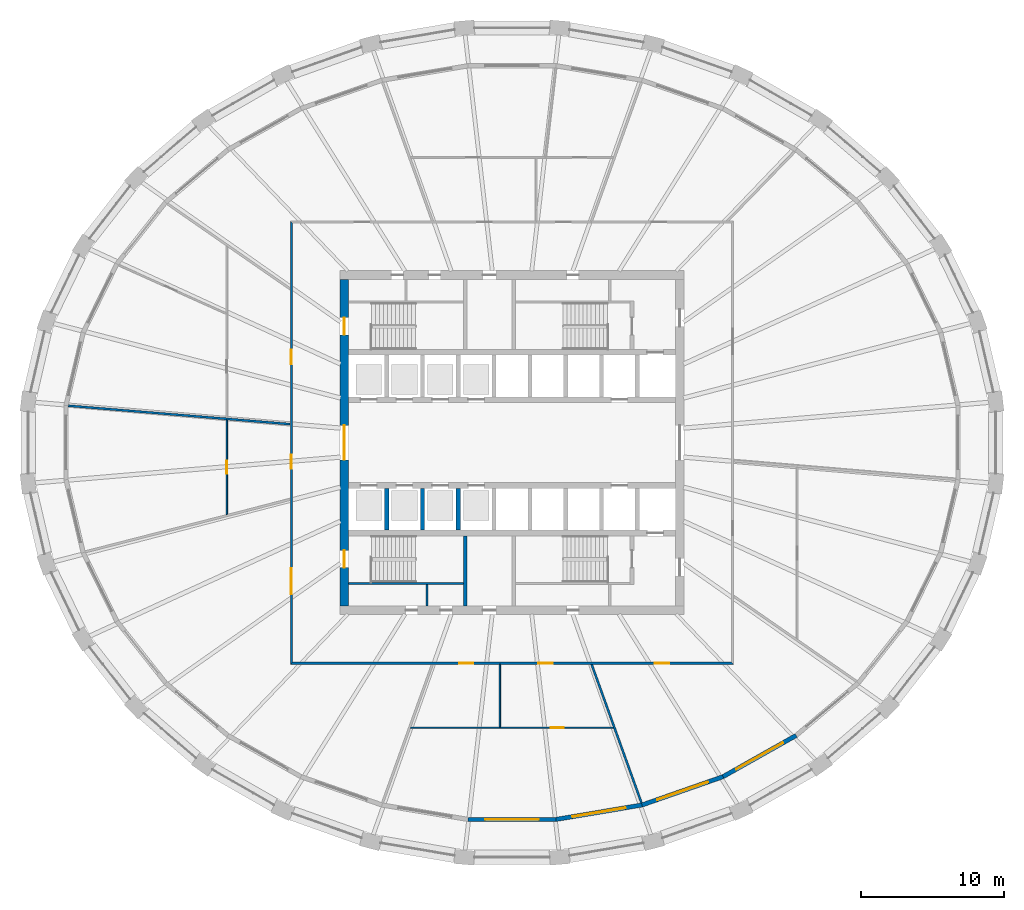
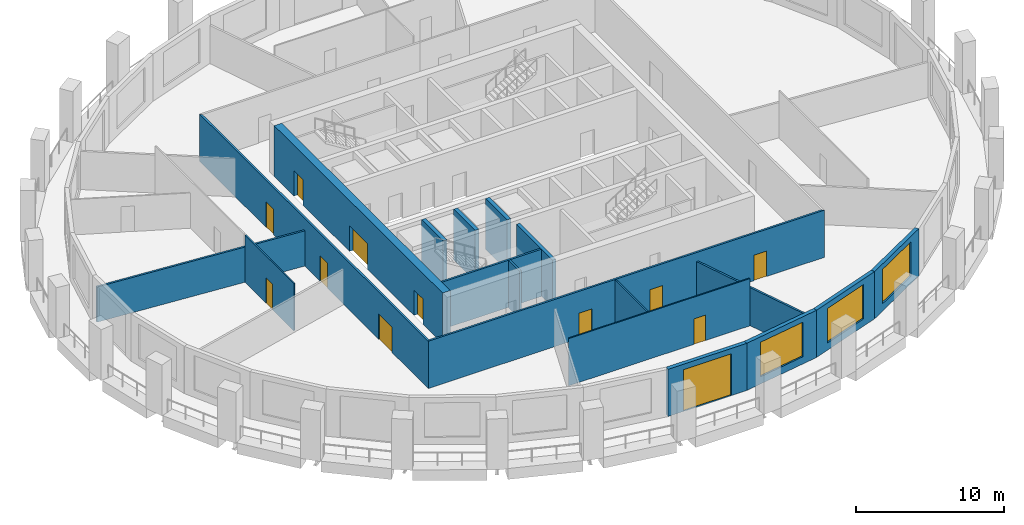
# One storey, part 3 of 10: 18 walls, 12 doors, 3 windows, 15 openings.
"""IFC4 building model written with IfcOpenShell, lengths in metres."""

from ifc_helpers import new_model, si_unit, direction, frame, frame_2d, origin, place, context, subcontext, project, spatial, polyline, rectangle, outline, extrude, material, layer, layer_set, type_object, element, fill, save


model = new_model("IFC4")

# Units and contexts
model_context = context("Model", 3, precision=1e-05, world=origin(), true_north=direction((0.0, 1.0)))
body_context = subcontext(model_context, "Body", "Model", "MODEL_VIEW")
ifc_project = project(units=[si_unit("LENGTHUNIT", "METRE"), si_unit("AREAUNIT", "SQUARE_METRE"), si_unit("VOLUMEUNIT", "CUBIC_METRE"), si_unit("PLANEANGLEUNIT", "RADIAN"), si_unit("MASSUNIT", "GRAM", prefix="KILO")], contexts=[model_context])

# Site, building, storey
site_placement = place(None, origin())
site = spatial("IfcSite", under=ifc_project, at=site_placement, CompositionType="ELEMENT")
building_placement = place(site_placement, origin())
building = spatial("IfcBuilding", under=site, at=building_placement, Name="Halqa Exchange Tower", CompositionType="ELEMENT")
storey_placement = place(building_placement, frame((0.0, 0.0, 154.89990234375)))
storey = spatial("IfcBuildingStorey", under=building, at=storey_placement, Name="L35", CompositionType="ELEMENT", Elevation=154.89990234375)

# Wall
ifc_material_1 = material(Name="Fire-rated gypsum board")
ifc_layer_1 = layer(ifc_material_1, 0.14990234375)
ifc_layer_set_1 = layer_set([ifc_layer_1], Name="Fire-rated gypsum board")
wall_type_1 = type_object("IfcWallType", Name="Fire partition EI 60 150", PredefinedType="PARTITIONING", material=ifc_layer_set_1)
wall_1_placement = place(storey_placement, frame((-30.964599609375, 2.574462890625, 0.0), z_axis=(0.0, 0.0, 1.0), x_axis=(0.996560145348, -0.082872653534, 0.0)))
element("IfcWall", 1, at=wall_1_placement, inside=storey, type_object=wall_type_1, Name="L35-PWL-001", PredefinedType="PARTITIONING", context=body_context, shape_type="SweptSolid", body=[
    extrude(outline(polyline([(0.0, -0.074951171875), (1.85986328125, -0.074951171875), (3.7197265625, -0.074951171875), (5.579345703125, -0.074951171875), (7.439208984375, -0.074951171875), (9.299072265625, -0.074951171875), (11.158935546875, -0.074951171875), (11.1591796875, -0.074951171875), (11.1591796875, -0.074951171875), (12.622314453125, -0.074951171875), (14.085693359375, -0.074951171875), (15.548828125, -0.074951171875), (15.548828125, -0.0693359375), (15.536865234375, 0.074951171875), (14.044921875, 0.074951171875), (12.552978515625, 0.074951171875), (11.06103515625, 0.074951171875), (11.04638671875, 0.07373046875), (11.04638671875, 0.074951171875), (9.2060546875, 0.074951171875), (7.36572265625, 0.074951171875), (5.525390625, 0.074951171875), (3.68505859375, 0.074951171875), (1.8447265625, 0.074951171875), (0.00439453125, 0.074951171875), (0.0, 0.044921875), (0.0, -0.074951171875)])), origin(), (0.0, 0.0, 1.0), 2.91015625),
])

# Wall, openings, doors
wall_2_placement = place(storey_placement, frame((-15.39990234375, -15.47509765625, 0.0), z_axis=(0.0, 0.0, 1.0), x_axis=(0.0, 1.0, 0.0)))
wall_2 = element("IfcWall", 2, at=wall_2_placement, inside=storey, type_object=wall_type_1, Name="L35-PWL-007", PredefinedType="PARTITIONING", context=body_context, shape_type="SweptSolid", body=[
    extrude(outline(polyline([(0.150146484375, -0.074951171875), (2.065673828125, -0.074951171875), (3.9814453125, -0.074951171875), (5.89697265625, -0.074951171875), (7.8125, -0.074951171875), (9.728271484375, -0.074951171875), (11.643798828125, -0.074951171875), (13.5595703125, -0.074951171875), (15.47509765625, -0.074951171875), (17.390625, -0.074951171875), (19.306396484375, -0.074951171875), (21.221923828125, -0.074951171875), (23.1376953125, -0.074951171875), (25.05322265625, -0.074951171875), (26.96875, -0.074951171875), (28.884521484375, -0.074951171875), (30.800048828125, -0.074951171875), (30.949951171875, 0.074951171875), (29.015625, 0.074951171875), (27.081298828125, 0.074951171875), (25.14697265625, 0.074951171875), (23.21240234375, 0.074951171875), (21.278076171875, 0.074951171875), (19.34375, 0.074951171875), (17.409423828125, 0.074951171875), (15.47509765625, 0.074951171875), (13.540771484375, 0.074951171875), (11.6064453125, 0.074951171875), (9.672119140625, 0.074951171875), (7.73779296875, 0.074951171875), (5.80322265625, 0.074951171875), (3.868896484375, 0.074951171875), (1.9345703125, 0.074951171875), (0.000244140625, 0.074951171875), (0.150146484375, -0.074951171875)])), origin(), (0.0, 0.0, 1.0), 3.900146484375),
])
opening_1_placement = place(wall_2_placement, frame((20.949951171875, 0.0, 0.0)))
opening_1 = element("IfcOpeningElement", 3, at=opening_1_placement, cuts=wall_2, Name="Opening 11-04", PredefinedType="OPENING", context=body_context, shape_type="SweptSolid", body=[
    extrude(rectangle(XDim=1.0, YDim=2.10009765625, at=frame_2d((0.5, 1.050048828125))), frame((0.0, 0.0869140625, 0.0), z_axis=(0.0, -1.0, 0.0), x_axis=(1.0, 0.0, 0.0)), (0.0, 0.0, 1.0), 0.173828125),
])
opening_2_placement = place(wall_2_placement, frame((13.64501953125, 0.0, 0.0)))
opening_2 = element("IfcOpeningElement", 4, at=opening_2_placement, cuts=wall_2, Name="Opening 11-05", PredefinedType="OPENING", context=body_context, shape_type="SweptSolid", body=[
    extrude(rectangle(XDim=1.0, YDim=2.10009765625, at=frame_2d((0.5, 1.050048828125))), frame((0.0, 0.0869140625, 0.0), z_axis=(0.0, -1.0, 0.0), x_axis=(1.0, 0.0, 0.0)), (0.0, 0.0, 1.0), 0.173828125),
])
opening_3_placement = place(wall_2_placement, frame((4.905029296875, 0.0, 0.0)))
opening_3 = element("IfcOpeningElement", 5, at=opening_3_placement, cuts=wall_2, Name="Opening 11-06", PredefinedType="OPENING", context=body_context, shape_type="SweptSolid", body=[
    extrude(rectangle(XDim=1.800048828125, YDim=2.10009765625, at=frame_2d((0.89990234375, 1.050048828125))), frame((0.0, 0.0869140625, 0.0), z_axis=(0.0, -1.0, 0.0), x_axis=(1.0, 0.0, 0.0)), (0.0, 0.0, 1.0), 0.173828125),
])
ifc_material_2 = material(Name="Steel fire door leaf", Category="steel")
door_type_1 = type_object("IfcDoorType", Name="Fire door FD30S 1000 x 2100", OperationType="SINGLE_SWING_LEFT", PredefinedType="DOOR", material=ifc_material_2)
door_1_placement = place(opening_1_placement, origin())
door_1 = element("IfcDoor", 6, at=door_1_placement, inside=storey, type_object=door_type_1, Name="L35-IDR-004", OperationType="SINGLE_SWING_RIGHT", OverallHeight=2.10009765625, OverallWidth=1.0, PredefinedType="DOOR", context=body_context, shape_type="SweptSolid", body=[
    extrude(rectangle(XDim=1.0, YDim=2.10009765625, at=frame_2d((0.5, 1.050048828125))), frame((0.0, 0.02490234375, 0.0), z_axis=(0.0, -1.0, 0.0), x_axis=(1.0, 0.0, 0.0)), (0.0, 0.0, 1.0), 0.050048828125),
])
fill(opening_1, door_1)
door_2_placement = place(opening_2_placement, origin())
door_2 = element("IfcDoor", 7, at=door_2_placement, inside=storey, type_object=door_type_1, Name="L35-IDR-005", OperationType="SINGLE_SWING_RIGHT", OverallHeight=2.10009765625, OverallWidth=1.0, PredefinedType="DOOR", context=body_context, shape_type="SweptSolid", body=[
    extrude(rectangle(XDim=1.0, YDim=2.10009765625, at=frame_2d((0.5, 1.050048828125))), frame((0.0, 0.02490234375, 0.0), z_axis=(0.0, -1.0, 0.0), x_axis=(1.0, 0.0, 0.0)), (0.0, 0.0, 1.0), 0.050048828125),
])
fill(opening_2, door_2)
door_type_2 = type_object("IfcDoorType", Name="Fire door FD30S double 1800 x 2100", OperationType="DOUBLE_DOOR_SINGLE_SWING", PredefinedType="DOOR", material=ifc_material_2)
door_3_placement = place(opening_3_placement, origin())
door_3 = element("IfcDoor", 8, at=door_3_placement, inside=storey, type_object=door_type_2, Name="L35-IDR-006", OperationType="DOUBLE_DOOR_SINGLE_SWING", OverallHeight=2.10009765625, OverallWidth=1.800048828125, PredefinedType="DOOR", context=body_context, shape_type="SweptSolid", body=[
    extrude(rectangle(XDim=1.800048828125, YDim=2.10009765625, at=frame_2d((0.89990234375, 1.050048828125))), frame((0.0, 0.02490234375, 0.0), z_axis=(0.0, -1.0, 0.0), x_axis=(1.0, 0.0, 0.0)), (0.0, 0.0, 1.0), 0.050048828125),
])
fill(opening_3, door_3)

wall_3_placement = place(storey_placement, frame((-15.47509765625, -15.39990234375, 0.0), z_axis=(0.0, 0.0, 1.0), x_axis=(1.0, 0.0, 0.0)))
wall_3 = element("IfcWall", 9, at=wall_3_placement, inside=storey, type_object=wall_type_1, Name="L35-PWL-008", PredefinedType="PARTITIONING", context=body_context, shape_type="SweptSolid", body=[
    extrude(outline(polyline([(0.000244140625, -0.074951171875), (1.9345703125, -0.074951171875), (3.868896484375, -0.074951171875), (5.80322265625, -0.074951171875), (7.73779296875, -0.074951171875), (9.672119140625, -0.074951171875), (11.6064453125, -0.074951171875), (13.540771484375, -0.074951171875), (15.47509765625, -0.074951171875), (17.409423828125, -0.074951171875), (19.34375, -0.074951171875), (21.278076171875, -0.074951171875), (23.21240234375, -0.074951171875), (25.14697265625, -0.074951171875), (27.081298828125, -0.074951171875), (29.015625, -0.074951171875), (30.949951171875, -0.074951171875), (30.800048828125, 0.074951171875), (28.884521484375, 0.074951171875), (26.96875, 0.074951171875), (25.05322265625, 0.074951171875), (23.1376953125, 0.074951171875), (21.221923828125, 0.074951171875), (19.306396484375, 0.074951171875), (17.390625, 0.074951171875), (15.47509765625, 0.074951171875), (13.5595703125, 0.074951171875), (11.643798828125, 0.074951171875), (9.728271484375, 0.074951171875), (7.8125, 0.074951171875), (5.89697265625, 0.074951171875), (3.9814453125, 0.074951171875), (2.065673828125, 0.074951171875), (0.150146484375, 0.074951171875), (0.000244140625, -0.074951171875)])), origin(), (0.0, 0.0, 1.0), 3.900146484375),
])
opening_4_placement = place(wall_3_placement, frame((11.784912109375, 0.0, 0.0)))
opening_4 = element("IfcOpeningElement", 10, at=opening_4_placement, cuts=wall_3, Name="Opening 11-07", PredefinedType="OPENING", context=body_context, shape_type="SweptSolid", body=[
    extrude(rectangle(XDim=1.0, YDim=2.10009765625, at=frame_2d((0.5, 1.050048828125))), frame((0.0, 0.0869140625, 0.0), z_axis=(0.0, -1.0, 0.0), x_axis=(1.0, 0.0, 0.0)), (0.0, 0.0, 1.0), 0.173828125),
])
opening_5_placement = place(wall_3_placement, frame((17.31494140625, 0.0, 0.0)))
opening_5 = element("IfcOpeningElement", 11, at=opening_5_placement, cuts=wall_3, Name="Opening 11-08", PredefinedType="OPENING", context=body_context, shape_type="SweptSolid", body=[
    extrude(rectangle(XDim=1.0, YDim=2.10009765625, at=frame_2d((0.5, 1.050048828125))), frame((0.0, 0.0869140625, 0.0), z_axis=(0.0, -1.0, 0.0), x_axis=(1.0, 0.0, 0.0)), (0.0, 0.0, 1.0), 0.173828125),
])
opening_6_placement = place(wall_3_placement, frame((25.43994140625, 0.0, 0.0)))
opening_6 = element("IfcOpeningElement", 12, at=opening_6_placement, cuts=wall_3, Name="Opening 11-09", PredefinedType="OPENING", context=body_context, shape_type="SweptSolid", body=[
    extrude(rectangle(XDim=1.0, YDim=2.10009765625, at=frame_2d((0.5, 1.050048828125))), frame((0.0, 0.0869140625, 0.0), z_axis=(0.0, -1.0, 0.0), x_axis=(1.0, 0.0, 0.0)), (0.0, 0.0, 1.0), 0.173828125),
])
door_4_placement = place(opening_4_placement, frame((1.0, 0.0, 0.0), z_axis=(0.0, 0.0, 1.0), x_axis=(-1.0, 0.0, 0.0)))
door_4 = element("IfcDoor", 13, at=door_4_placement, inside=storey, type_object=door_type_1, Name="L35-IDR-007", OperationType="SINGLE_SWING_LEFT", OverallHeight=2.10009765625, OverallWidth=1.0, PredefinedType="DOOR", context=body_context, shape_type="SweptSolid", body=[
    extrude(rectangle(XDim=1.0, YDim=2.10009765625, at=frame_2d((0.5, 1.050048828125))), frame((0.0, 0.02490234375, 0.0), z_axis=(0.0, -1.0, 0.0), x_axis=(1.0, 0.0, 0.0)), (0.0, 0.0, 1.0), 0.050048828125),
])
fill(opening_4, door_4)
door_5_placement = place(opening_5_placement, frame((1.0, 0.0, 0.0), z_axis=(0.0, 0.0, 1.0), x_axis=(-1.0, 0.0, 0.0)))
door_5 = element("IfcDoor", 14, at=door_5_placement, inside=storey, type_object=door_type_1, Name="L35-IDR-008", OperationType="SINGLE_SWING_RIGHT", OverallHeight=2.10009765625, OverallWidth=1.0, PredefinedType="DOOR", context=body_context, shape_type="SweptSolid", body=[
    extrude(rectangle(XDim=1.0, YDim=2.10009765625, at=frame_2d((0.5, 1.050048828125))), frame((0.0, 0.02490234375, 0.0), z_axis=(0.0, -1.0, 0.0), x_axis=(1.0, 0.0, 0.0)), (0.0, 0.0, 1.0), 0.050048828125),
])
fill(opening_5, door_5)
door_6_placement = place(opening_6_placement, frame((1.0, 0.0, 0.0), z_axis=(0.0, 0.0, 1.0), x_axis=(-1.0, 0.0, 0.0)))
door_6 = element("IfcDoor", 15, at=door_6_placement, inside=storey, type_object=door_type_1, Name="L35-IDR-009", OperationType="SINGLE_SWING_RIGHT", OverallHeight=2.10009765625, OverallWidth=1.0, PredefinedType="DOOR", context=body_context, shape_type="SweptSolid", body=[
    extrude(rectangle(XDim=1.0, YDim=2.10009765625, at=frame_2d((0.5, 1.050048828125))), frame((0.0, 0.02490234375, 0.0), z_axis=(0.0, -1.0, 0.0), x_axis=(1.0, 0.0, 0.0)), (0.0, 0.0, 1.0), 0.050048828125),
])
fill(opening_6, door_6)

# Wall
wall_4_placement = place(storey_placement, frame((5.5478515625, -15.449951171875, 0.0), z_axis=(0.0, 0.0, 1.0), x_axis=(0.338668278724, -0.940905838533, 0.0)))
element("IfcWall", 16, at=wall_4_placement, inside=storey, type_object=wall_type_1, Name="L35-PWL-018", PredefinedType="PARTITIONING", context=body_context, shape_type="SweptSolid", body=[
    extrude(outline(polyline([(0.0, -0.074951171875), (1.5498046875, -0.074951171875), (3.099609375, -0.074951171875), (4.6494140625, -0.074951171875), (4.661376953125, -0.04150390625), (4.75439453125, -0.074951171875), (6.59912109375, -0.074951171875), (8.44384765625, -0.074951171875), (10.28857421875, -0.074951171875), (10.3017578125, -0.0029296875), (10.30224609375, 0.064453125), (10.30224609375, 0.074951171875), (8.59423828125, 0.074951171875), (6.885986328125, 0.074951171875), (5.177978515625, 0.074951171875), (3.4697265625, 0.074951171875), (1.76171875, 0.074951171875), (0.0537109375, 0.074951171875), (0.0, -0.073974609375), (0.0, -0.074951171875)])), origin(), (0.0, 0.0, 1.0), 3.147216796875),
])

# Wall, opening, door
ifc_material_3 = material(Name="Gypsum board")
ifc_layer_2 = layer(ifc_material_3, 0.10009765625)
ifc_layer_set_2 = layer_set([ifc_layer_2], Name="Gypsum board")
wall_type_2 = type_object("IfcWallType", Name="Partition 100 gypsum", PredefinedType="PARTITIONING", material=ifc_layer_set_2)
wall_5_placement = place(storey_placement, frame((-19.89990234375, -5.027587890625, 0.0), z_axis=(0.0, 0.0, 1.0), x_axis=(0.0, 1.0, 0.0)))
wall_5 = element("IfcWall", 17, at=wall_5_placement, inside=storey, type_object=wall_type_2, Name="L35-PWL-004", PredefinedType="PARTITIONING", context=body_context, shape_type="SweptSolid", body=[
    extrude(outline(polyline([(0.025390625, -0.050048828125), (1.669677734375, -0.050048828125), (3.31396484375, -0.050048828125), (4.958251953125, -0.050048828125), (6.6025390625, -0.050048828125), (6.610595703125, 0.04833984375), (6.610595703125, 0.050048828125), (4.9580078125, 0.050048828125), (3.30517578125, 0.050048828125), (1.652587890625, 0.050048828125), (0.0, 0.050048828125), (0.0, 0.048828125), (0.025390625, -0.050048828125)])), origin(), (0.0, 0.0, 1.0), 3.900146484375),
])
opening_7_placement = place(wall_5_placement, frame((2.857421875, 0.0, 0.0)))
opening_7 = element("IfcOpeningElement", 18, at=opening_7_placement, cuts=wall_5, Name="Opening 11-17", PredefinedType="OPENING", context=body_context, shape_type="SweptSolid", body=[
    extrude(rectangle(XDim=0.89990234375, YDim=2.10009765625, at=frame_2d((0.449951171875, 1.050048828125))), frame((0.0, 0.06201171875, 0.0), z_axis=(0.0, -1.0, 0.0), x_axis=(1.0, 0.0, 0.0)), (0.0, 0.0, 1.0), 0.1240234375),
])
ifc_material_4 = material(Name="Timber door leaf", Category="wood")
door_type_3 = type_object("IfcDoorType", Name="Door 900 x 2100", OperationType="SINGLE_SWING_LEFT", PredefinedType="DOOR", material=ifc_material_4)
door_7_placement = place(opening_7_placement, frame((0.89990234375, 0.0, 0.0), z_axis=(0.0, 0.0, 1.0), x_axis=(-1.0, 0.0, 0.0)))
door_7 = element("IfcDoor", 19, at=door_7_placement, inside=storey, type_object=door_type_3, Name="L35-IDR-017", OperationType="SINGLE_SWING_RIGHT", OverallHeight=2.10009765625, OverallWidth=0.89990234375, PredefinedType="DOOR", context=body_context, shape_type="SweptSolid", body=[
    extrude(rectangle(XDim=0.89990234375, YDim=2.10009765625, at=frame_2d((0.449951171875, 1.050048828125))), frame((0.0, 0.02490234375, 0.0), z_axis=(0.0, -1.0, 0.0), x_axis=(1.0, 0.0, 0.0)), (0.0, 0.0, 1.0), 0.050048828125),
])
fill(opening_7, door_7)

wall_6_placement = place(storey_placement, frame((-7.08740234375, -19.89990234375, 0.0), z_axis=(0.0, 0.0, 1.0), x_axis=(1.0, 0.0, 0.0)))
wall_6 = element("IfcWall", 20, at=wall_6_placement, inside=storey, type_object=wall_type_2, Name="L35-PWL-012", PredefinedType="PARTITIONING", context=body_context, shape_type="SweptSolid", body=[
    extrude(outline(polyline([(14.1748046875, -0.050048828125), (14.1748046875, -0.048583984375), (14.13916015625, 0.050048828125), (12.17626953125, 0.050048828125), (10.21337890625, 0.050048828125), (8.250244140625, 0.050048828125), (6.287353515625, 0.050048828125), (6.287353515625, 0.0498046875), (6.1875, 0.0498046875), (6.1875, 0.050048828125), (4.6494140625, 0.050048828125), (3.111572265625, 0.050048828125), (1.573486328125, 0.050048828125), (0.03564453125, 0.050048828125), (0.0, -0.048583984375), (0.0, -0.050048828125), (1.77197265625, -0.050048828125), (3.543701171875, -0.050048828125), (5.3154296875, -0.050048828125), (7.08740234375, -0.050048828125), (8.859375, -0.050048828125), (10.631103515625, -0.050048828125), (12.40283203125, -0.050048828125), (14.1748046875, -0.050048828125)])), origin(), (0.0, 0.0, 1.0), 3.900146484375),
])
opening_8_placement = place(wall_6_placement, frame((9.78759765625, 0.0, 0.0)))
opening_8 = element("IfcOpeningElement", 21, at=opening_8_placement, cuts=wall_6, Name="Opening 11-18", PredefinedType="OPENING", context=body_context, shape_type="SweptSolid", body=[
    extrude(rectangle(XDim=0.89990234375, YDim=2.10009765625, at=frame_2d((0.449951171875, 1.050048828125))), frame((0.0, 0.06201171875, 0.0), z_axis=(0.0, -1.0, 0.0), x_axis=(1.0, 0.0, 0.0)), (0.0, 0.0, 1.0), 0.1240234375),
])
door_8_placement = place(opening_8_placement, origin())
door_8 = element("IfcDoor", 22, at=door_8_placement, inside=storey, type_object=door_type_3, Name="L35-IDR-018", OperationType="SINGLE_SWING_RIGHT", OverallHeight=2.10009765625, OverallWidth=0.89990234375, PredefinedType="DOOR", context=body_context, shape_type="SweptSolid", body=[
    extrude(rectangle(XDim=0.89990234375, YDim=2.10009765625, at=frame_2d((0.449951171875, 1.050048828125))), frame((0.0, 0.02490234375, 0.0), z_axis=(0.0, -1.0, 0.0), x_axis=(1.0, 0.0, 0.0)), (0.0, 0.0, 1.0), 0.050048828125),
])
fill(opening_8, door_8)

# Walls
wall_7_placement = place(storey_placement, frame((-0.85009765625, -15.47509765625, 0.0), z_axis=(0.0, 0.0, 1.0), x_axis=(0.0, -1.0, 0.0)))
element("IfcWall", 23, at=wall_7_placement, inside=storey, type_object=wall_type_2, Name="L35-PWL-014", PredefinedType="PARTITIONING", context=body_context, shape_type="SweptSolid", body=[
    extrude(rectangle(XDim=4.375, YDim=0.10009765625, at=frame_2d((2.1875, 0.0))), origin(), (0.0, 0.0, 1.0), 3.900146484375),
])
ifc_layer_3 = layer(ifc_material_3, 0.14990234375)
ifc_layer_set_3 = layer_set([ifc_layer_3], Name="Gypsum board")
wall_type_3 = type_object("IfcWallType", Name="Penthouse riser wall 150 gypsum", PredefinedType="PARTITIONING", material=ifc_layer_set_3)
wall_8_placement = place(storey_placement, frame((-5.925048828125, -11.39990234375, 0.0), z_axis=(0.0, 0.0, 1.0), x_axis=(0.0, 1.0, 0.0)))
element("IfcWall", 24, at=wall_8_placement, inside=storey, type_object=wall_type_3, Name="Partition W5.925 S", PredefinedType="PARTITIONING", context=body_context, shape_type="SweptSolid", body=[
    extrude(rectangle(XDim=1.5, YDim=0.14990234375, at=frame_2d((0.75, 0.0))), origin(), (0.0, 0.0, 1.0), 3.900146484375),
])
ifc_material_5 = material(Name="Concrete C60/75", Category="concrete")
ifc_layer_4 = layer(ifc_material_5, 0.300048828125)
ifc_layer_set_4 = layer_set([ifc_layer_4], Name="Concrete C60/75")
wall_type_4 = type_object("IfcWallType", Name="RC core wall 300", PredefinedType="SHEAR", material=ifc_layer_set_4)
for number, where, z_axis, x_axis, name in (
    (25, (-8.75, -6.10009765625, 0.0), (0.0, 0.0, 1.0), (0.0, 1.0, 0.0), "Shaft divider S1"),
    (26, (-6.25, -6.10009765625, 0.0), (0.0, 0.0, 1.0), (0.0, 1.0, 0.0), "Shaft divider S2"),
    (27, (-3.75, -6.10009765625, 0.0), (0.0, 0.0, 1.0), (0.0, 1.0, 0.0), "Shaft divider S3"),
):
    element("IfcWall", number, at=place(storey_placement, frame(where, z_axis=z_axis, x_axis=x_axis)), inside=storey, type_object=wall_type_4, Name=name, PredefinedType="SHEAR", context=body_context, shape_type="SweptSolid", body=[
        extrude(rectangle(XDim=2.900146484375, YDim=0.300048828125, at=frame_2d((1.4501953125, 0.0))), origin(), (0.0, 0.0, 1.0), 4.2001953125),
    ])

# Wall, openings, doors
ifc_material_6 = material(Name="Concrete C70/85", Category="concrete")
ifc_layer_5 = layer(ifc_material_6, 0.60009765625)
ifc_layer_set_5 = layer_set([ifc_layer_5], Name="Concrete C70/85")
wall_type_5 = type_object("IfcWallType", Name="RC core wall 600 C70/85", PredefinedType="SHEAR", material=ifc_layer_set_5)
wall_9_placement = place(storey_placement, frame((-11.699951171875, -11.39990234375, 0.0), z_axis=(0.0, 0.0, 1.0), x_axis=(0.0, 1.0, 0.0)))
wall_9 = element("IfcWall", 28, at=wall_9_placement, inside=storey, type_object=wall_type_5, Name="Core wall west", PredefinedType="SHEAR", context=body_context, shape_type="SweptSolid", body=[
    extrude(rectangle(XDim=22.7998046875, YDim=0.60009765625, at=frame_2d((11.39990234375, 0.0))), origin(), (0.0, 0.0, 1.0), 4.2001953125),
])
opening_9_placement = place(wall_9_placement, frame((10.199951171875, 0.0, 0.0)))
opening_9 = element("IfcOpeningElement", 29, at=opening_9_placement, cuts=wall_9, Name="Opening T11-C13", PredefinedType="OPENING", context=body_context, shape_type="SweptSolid", body=[
    extrude(rectangle(XDim=2.39990234375, YDim=2.10009765625, at=frame_2d((1.199951171875, 1.050048828125))), frame((0.0, 0.31201171875, 0.0), z_axis=(0.0, -1.0, 0.0), x_axis=(1.0, 0.0, 0.0)), (0.0, 0.0, 1.0), 0.6240234375),
])
opening_10_placement = place(wall_9_placement, frame((18.925048828125, 0.0, 0.0)))
opening_10 = element("IfcOpeningElement", 30, at=opening_10_placement, cuts=wall_9, Name="Opening T11-C15", PredefinedType="OPENING", context=body_context, shape_type="SweptSolid", body=[
    extrude(rectangle(XDim=1.199951171875, YDim=2.10009765625, at=frame_2d((0.60009765625, 1.050048828125))), frame((0.0, 0.31201171875, 0.0), z_axis=(0.0, -1.0, 0.0), x_axis=(1.0, 0.0, 0.0)), (0.0, 0.0, 1.0), 0.6240234375),
])
opening_11_placement = place(wall_9_placement, frame((2.675048828125, 0.0, 0.0)))
opening_11 = element("IfcOpeningElement", 31, at=opening_11_placement, cuts=wall_9, Name="Opening T11-C17", PredefinedType="OPENING", context=body_context, shape_type="SweptSolid", body=[
    extrude(rectangle(XDim=1.199951171875, YDim=2.10009765625, at=frame_2d((0.60009765625, 1.050048828125))), frame((0.0, 0.31201171875, 0.0), z_axis=(0.0, -1.0, 0.0), x_axis=(1.0, 0.0, 0.0)), (0.0, 0.0, 1.0), 0.6240234375),
])
door_type_4 = type_object("IfcDoorType", Name="Lobby double door FD60 2400 x 2100", OperationType="DOUBLE_DOOR_SINGLE_SWING", PredefinedType="DOOR", material=ifc_material_2)
door_9_placement = place(opening_9_placement, frame((2.39990234375, 0.0, 0.0), z_axis=(0.0, 0.0, 1.0), x_axis=(-1.0, 0.0, 0.0)))
door_9 = element("IfcDoor", 32, at=door_9_placement, inside=storey, type_object=door_type_4, Name="Lift lobby double door", OperationType="DOUBLE_DOOR_SINGLE_SWING", OverallHeight=2.10009765625, OverallWidth=2.39990234375, PredefinedType="DOOR", context=body_context, shape_type="SweptSolid", body=[
    extrude(rectangle(XDim=2.39990234375, YDim=2.10009765625, at=frame_2d((1.199951171875, 1.050048828125))), frame((0.0, 0.02490234375, 0.0), z_axis=(0.0, -1.0, 0.0), x_axis=(1.0, 0.0, 0.0)), (0.0, 0.0, 1.0), 0.050048828125),
])
fill(opening_9, door_9)
door_type_5 = type_object("IfcDoorType", Name="Stair door FD90 1200 x 2100", OperationType="SINGLE_SWING_LEFT", PredefinedType="DOOR", material=ifc_material_2)
door_10_placement = place(opening_10_placement, frame((1.199951171875, 0.0, 0.0), z_axis=(0.0, 0.0, 1.0), x_axis=(-1.0, 0.0, 0.0)))
door_10 = element("IfcDoor", 33, at=door_10_placement, inside=storey, type_object=door_type_5, Name="Stair door ST1", OperationType="SINGLE_SWING_RIGHT", OverallHeight=2.10009765625, OverallWidth=1.199951171875, PredefinedType="DOOR", context=body_context, shape_type="SweptSolid", body=[
    extrude(rectangle(XDim=1.199951171875, YDim=2.10009765625, at=frame_2d((0.60009765625, 1.050048828125))), frame((0.0, 0.02490234375, 0.0), z_axis=(0.0, -1.0, 0.0), x_axis=(1.0, 0.0, 0.0)), (0.0, 0.0, 1.0), 0.050048828125),
])
fill(opening_10, door_10)
door_11_placement = place(opening_11_placement, frame((1.199951171875, 0.0, 0.0), z_axis=(0.0, 0.0, 1.0), x_axis=(-1.0, 0.0, 0.0)))
door_11 = element("IfcDoor", 34, at=door_11_placement, inside=storey, type_object=door_type_5, Name="Stair door ST3", OperationType="SINGLE_SWING_RIGHT", OverallHeight=2.10009765625, OverallWidth=1.199951171875, PredefinedType="DOOR", context=body_context, shape_type="SweptSolid", body=[
    extrude(rectangle(XDim=1.199951171875, YDim=2.10009765625, at=frame_2d((0.60009765625, 1.050048828125))), frame((0.0, 0.02490234375, 0.0), z_axis=(0.0, -1.0, 0.0), x_axis=(1.0, 0.0, 0.0)), (0.0, 0.0, 1.0), 0.050048828125),
])
fill(opening_11, door_11)

# Walls
ifc_material_7 = material(Name="Concrete C30/37", Category="concrete")
ifc_layer_6 = layer(ifc_material_7, 0.14990234375)
ifc_layer_set_6 = layer_set([ifc_layer_6], Name="Concrete C30/37")
wall_type_6 = type_object("IfcWallType", Name="RC stair wall 150 C30/37", PredefinedType="SHEAR", material=ifc_layer_set_6)
wall_10_placement = place(storey_placement, frame((-11.39990234375, -9.824951171875, 0.0), z_axis=(0.0, 0.0, 1.0), x_axis=(1.0, 0.0, 0.0)))
element("IfcWall", 35, at=wall_10_placement, inside=storey, type_object=wall_type_6, Name="Stair ST1 north wall S", PredefinedType="SHEAR", context=body_context, shape_type="SweptSolid", body=[
    extrude(rectangle(XDim=8.0, YDim=0.14990234375, at=frame_2d((4.0, 0.0))), origin(), (0.0, 0.0, 1.0), 3.900146484375),
])
ifc_layer_7 = layer(ifc_material_7, 0.25)
ifc_layer_set_7 = layer_set([ifc_layer_7], Name="Concrete C30/37")
wall_type_7 = type_object("IfcWallType", Name="RC stair wall 250 C30/37", PredefinedType="SHEAR", material=ifc_layer_set_7)
wall_11_placement = place(storey_placement, frame((-3.27490234375, -11.39990234375, 0.0), z_axis=(0.0, 0.0, 1.0), x_axis=(0.0, 1.0, 0.0)))
element("IfcWall", 36, at=wall_11_placement, inside=storey, type_object=wall_type_7, Name="Stair ST1 east wall S", PredefinedType="SHEAR", context=body_context, shape_type="SweptSolid", body=[
    extrude(rectangle(XDim=4.89990234375, YDim=0.25, at=frame_2d((2.449951171875, 0.0))), origin(), (0.0, 0.0, 1.0), 3.900146484375),
])

# Wall, opening, door
ifc_material_8 = material(Name="Limestone cladding", Category="masonry")
ifc_layer_8 = layer(ifc_material_8, 0.0400390625)
ifc_material_9 = material(Name="Ventilated cavity")
ifc_layer_9 = layer(ifc_material_9, 0.030029296875, ventilated=True)
ifc_material_10 = material(Name="Mineral wool insulation")
ifc_layer_10 = layer(ifc_material_10, 0.10009765625)
ifc_layer_11 = layer(ifc_material_7, 0.10009765625)
ifc_material_11 = material(Name="Internal plaster")
ifc_layer_12 = layer(ifc_material_11, 0.030029296875)
ifc_layer_set_8 = layer_set([ifc_layer_8, ifc_layer_9, ifc_layer_10, ifc_layer_11, ifc_layer_12], Name="Stone-faced insulated wall 300")
wall_type_8 = type_object("IfcWallType", Name="Stone-faced insulated wall 300", PredefinedType="STANDARD", material=ifc_layer_set_8)
wall_12_placement = place(storey_placement, frame((-3.06298828125, -26.298583984375, 0.0), z_axis=(0.0, 0.0, 1.0), x_axis=(1.0, 0.0, 0.0)))
wall_12 = element("IfcWall", 37, at=wall_12_placement, inside=storey, type_object=wall_type_8, Name="Glass-line wall 24", PredefinedType="STANDARD", context=body_context, shape_type="SweptSolid", body=[
    extrude(outline(polyline([(-0.012451171875, -0.14990234375), (6.138427734375, -0.14990234375), (6.113525390625, 0.14990234375), (0.012451171875, 0.14990234375), (-0.012451171875, -0.14990234375)])), origin(), (0.0, 0.0, 1.0), 3.900146484375),
])
opening_12_placement = place(wall_12_placement, frame((1.18798828125, 0.0, 0.0)))
opening_12 = element("IfcOpeningElement", 38, at=opening_12_placement, cuts=wall_12, Name="Opening LG-F2-06", PredefinedType="OPENING", context=body_context, shape_type="SweptSolid", body=[
    extrude(rectangle(XDim=3.75, YDim=3.449951171875, at=frame_2d((1.875, 1.72509765625))), frame((0.0, 0.162109375, 0.0), z_axis=(0.0, -1.0, 0.0), x_axis=(1.0, 0.0, 0.0)), (0.0, 0.0, 1.0), 0.323974609375),
])
ifc_material_12 = material(Name="Clear low-emissivity glass in aluminium frame", Category="aluminium")
door_type_6 = type_object("IfcDoorType", Name="Glazed sliding loggia door 3750 x 3450", OperationType="DOUBLE_DOOR_SLIDING", PredefinedType="DOOR", material=ifc_material_12)
door_12_placement = place(opening_12_placement, origin())
door_12 = element("IfcDoor", 39, at=door_12_placement, inside=storey, type_object=door_type_6, Name="Loggia door 6", OperationType="DOUBLE_DOOR_SLIDING", OverallHeight=3.449951171875, OverallWidth=3.75, PredefinedType="DOOR", context=body_context, shape_type="SweptSolid", body=[
    extrude(rectangle(XDim=3.75, YDim=3.449951171875, at=frame_2d((1.875, 1.72509765625))), frame((0.0, 0.02490234375, 0.0), z_axis=(0.0, -1.0, 0.0), x_axis=(1.0, 0.0, 0.0)), (0.0, 0.0, 1.0), 0.050048828125),
])
fill(opening_12, door_12)

# Wall, opening, window
wall_13_placement = place(storey_placement, frame((3.06298828125, -26.298583984375, 0.0), z_axis=(0.0, 0.0, 1.0), x_axis=(0.98618955457, 0.165620537547, 0.0)))
wall_13 = element("IfcWall", 40, at=wall_13_placement, inside=storey, type_object=wall_type_8, Name="Glass-line wall 25", PredefinedType="STANDARD", context=body_context, shape_type="SweptSolid", body=[
    extrude(outline(polyline([(-0.012451171875, -0.14990234375), (6.105224609375, -0.14990234375), (6.079833984375, 0.14990234375), (0.012451171875, 0.14990234375), (-0.012451171875, -0.14990234375)])), origin(), (0.0, 0.0, 1.0), 3.900146484375),
])
opening_13_placement = place(wall_13_placement, frame((1.17138671875, 0.0, 0.60009765625)))
opening_13 = element("IfcOpeningElement", 41, at=opening_13_placement, cuts=wall_13, Name="Opening W-F2-25", PredefinedType="OPENING", context=body_context, shape_type="SweptSolid", body=[
    extrude(rectangle(XDim=3.75, YDim=2.85009765625, at=frame_2d((1.875, 1.425048828125))), frame((0.0, 0.162109375, 0.0), z_axis=(0.0, -1.0, 0.0), x_axis=(1.0, 0.0, 0.0)), (0.0, 0.0, 1.0), 0.323974609375),
])
window_type = type_object("IfcWindowType", Name="Fixed clear glazed window 3750 x 2850", PartitioningType="TRIPLE_PANEL_VERTICAL", PredefinedType="WINDOW", material=ifc_material_12)
window_1_placement = place(opening_13_placement, origin())
window_1 = element("IfcWindow", 42, at=window_1_placement, inside=storey, type_object=window_type, Name="Window 2", OverallHeight=2.85009765625, OverallWidth=3.75, PartitioningType="TRIPLE_PANEL_VERTICAL", PredefinedType="WINDOW", context=body_context, shape_type="SweptSolid", body=[
    extrude(rectangle(XDim=3.75, YDim=2.85009765625, at=frame_2d((1.875, 1.425048828125))), frame((0.0, 0.030029296875, 0.0), z_axis=(0.0, -1.0, 0.0), x_axis=(1.0, 0.0, 0.0)), (0.0, 0.0, 1.0), 0.06005859375),
])
fill(opening_13, window_1)

wall_14_placement = place(storey_placement, frame((9.0712890625, -25.28955078125, 0.0), z_axis=(0.0, 0.0, 1.0), x_axis=(0.943944636678, 0.330103806228, 0.0)))
wall_14 = element("IfcWall", 43, at=wall_14_placement, inside=storey, type_object=wall_type_8, Name="Glass-line wall 26", PredefinedType="STANDARD", context=body_context, shape_type="SweptSolid", body=[
    extrude(outline(polyline([(-0.0126953125, -0.14990234375), (6.0107421875, -0.14990234375), (5.98388671875, 0.14990234375), (0.0126953125, 0.14990234375), (-0.0126953125, -0.14990234375)])), origin(), (0.0, 0.0, 1.0), 3.900146484375),
])
opening_14_placement = place(wall_14_placement, frame((1.12353515625, 0.0, 0.60009765625)))
opening_14 = element("IfcOpeningElement", 44, at=opening_14_placement, cuts=wall_14, Name="Opening W-F2-26", PredefinedType="OPENING", context=body_context, shape_type="SweptSolid", body=[
    extrude(rectangle(XDim=3.75, YDim=2.85009765625, at=frame_2d((1.875, 1.425048828125))), frame((0.0, 0.162109375, 0.0), z_axis=(0.0, -1.0, 0.0), x_axis=(1.0, 0.0, 0.0)), (0.0, 0.0, 1.0), 0.323974609375),
])
window_2_placement = place(opening_14_placement, origin())
window_2 = element("IfcWindow", 45, at=window_2_placement, inside=storey, type_object=window_type, Name="Window 2", OverallHeight=2.85009765625, OverallWidth=3.75, PartitioningType="TRIPLE_PANEL_VERTICAL", PredefinedType="WINDOW", context=body_context, shape_type="SweptSolid", body=[
    extrude(rectangle(XDim=3.75, YDim=2.85009765625, at=frame_2d((1.875, 1.425048828125))), frame((0.0, 0.030029296875, 0.0), z_axis=(0.0, -1.0, 0.0), x_axis=(1.0, 0.0, 0.0)), (0.0, 0.0, 1.0), 0.06005859375),
])
fill(opening_14, window_2)

wall_15_placement = place(storey_placement, frame((14.732421875, -23.309814453125, 0.0), z_axis=(0.0, 0.0, 1.0), x_axis=(0.870982130072, 0.491314694565, 0.0)))
wall_15 = element("IfcWall", 46, at=wall_15_placement, inside=storey, type_object=wall_type_8, Name="Glass-line wall 27", PredefinedType="STANDARD", context=body_context, shape_type="SweptSolid", body=[
    extrude(outline(polyline([(-0.013427734375, -0.14990234375), (5.86572265625, -0.14990234375), (5.83740234375, 0.14990234375), (0.013427734375, 0.14990234375), (-0.013427734375, -0.14990234375)])), origin(), (0.0, 0.0, 1.0), 3.900146484375),
])
opening_15_placement = place(wall_15_placement, frame((1.05078125, 0.0, 0.60009765625)))
opening_15 = element("IfcOpeningElement", 47, at=opening_15_placement, cuts=wall_15, Name="Opening W-F2-27", PredefinedType="OPENING", context=body_context, shape_type="SweptSolid", body=[
    extrude(rectangle(XDim=3.75, YDim=2.85009765625, at=frame_2d((1.875, 1.425048828125))), frame((0.0, 0.162109375, 0.0), z_axis=(0.0, -1.0, 0.0), x_axis=(1.0, 0.0, 0.0)), (0.0, 0.0, 1.0), 0.323974609375),
])
window_3_placement = place(opening_15_placement, origin())
window_3 = element("IfcWindow", 48, at=window_3_placement, inside=storey, type_object=window_type, Name="Window 2", OverallHeight=2.85009765625, OverallWidth=3.75, PartitioningType="TRIPLE_PANEL_VERTICAL", PredefinedType="WINDOW", context=body_context, shape_type="SweptSolid", body=[
    extrude(rectangle(XDim=3.75, YDim=2.85009765625, at=frame_2d((1.875, 1.425048828125))), frame((0.0, 0.030029296875, 0.0), z_axis=(0.0, -1.0, 0.0), x_axis=(1.0, 0.0, 0.0)), (0.0, 0.0, 1.0), 0.06005859375),
])
fill(opening_15, window_3)

save(model, "model.ifc")
